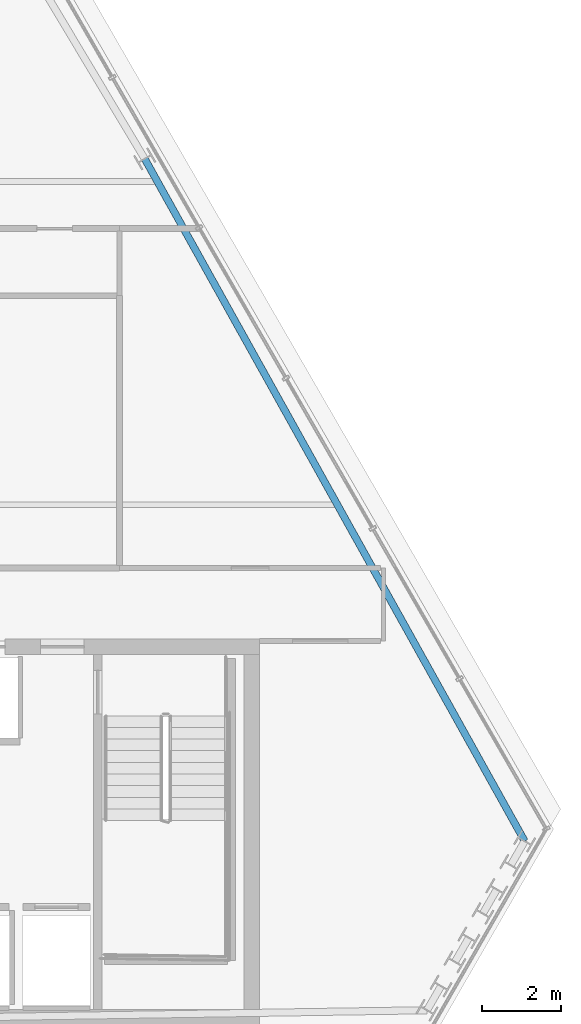
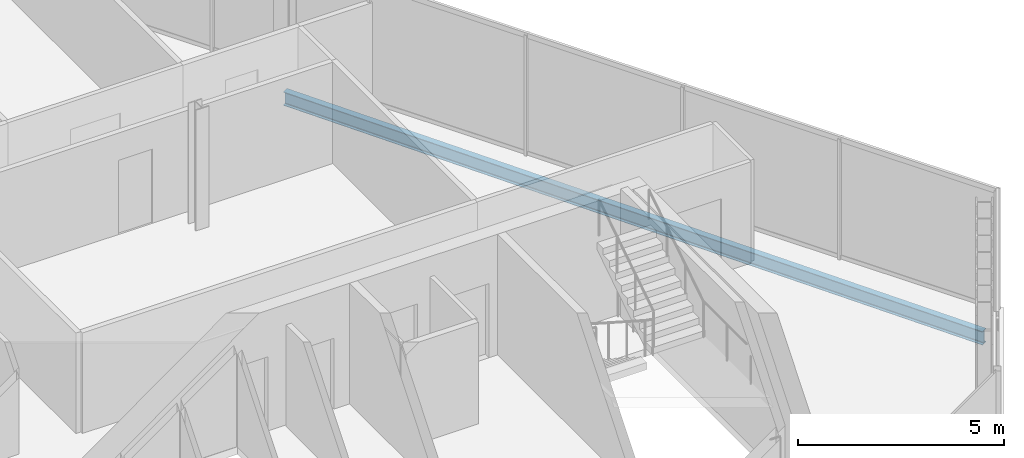
# One storey, part 21 of 32: 1 beam.
"""IFC4 building model written with IfcOpenShell, lengths in metres."""

from ifc_helpers import new_model, si_unit, direction, frame, origin, origin_2d, place, context, subcontext, project, spatial, i_section, extrude, material, material_profile, profile_set, type_object, element, save


model = new_model("IFC4")

# Units and contexts
model_context = context("Model", 3, precision=1e-05, world=origin(), true_north=direction((0.0, 1.0)))
body_context = subcontext(model_context, "Body", "Model", "MODEL_VIEW")
ifc_project = project(units=[si_unit("LENGTHUNIT", "METRE"), si_unit("AREAUNIT", "SQUARE_METRE"), si_unit("VOLUMEUNIT", "CUBIC_METRE"), si_unit("PLANEANGLEUNIT", "RADIAN"), si_unit("MASSUNIT", "GRAM", prefix="KILO")], contexts=[model_context])

# Site, building, storey
site_placement = place(None, origin())
site = spatial("IfcSite", under=ifc_project, at=site_placement, CompositionType="ELEMENT")
building_placement = place(site_placement, origin())
building = spatial("IfcBuilding", under=site, at=building_placement, Name="Ndaravel Arena Tower", CompositionType="ELEMENT")
storey_placement = place(building_placement, frame((0.0, 0.0, 252.199951171875)))
storey = spatial("IfcBuildingStorey", under=building, at=storey_placement, Name="L61", CompositionType="ELEMENT", Elevation=252.199951171875)

# Beam
ifc_material = material(Name="Steel S355", Category="steel")
ifc_material_profile = material_profile(ifc_material, i_section(OverallWidth=0.179931640625, OverallDepth=0.39990234375, WebThickness=0.008544921875, FlangeThickness=0.013427734375, FilletRadius=0.02099609375, at=origin_2d()), Name="IPE 400")
ifc_profile_set = profile_set([ifc_material_profile], Name="Steel S355")
beam_type = type_object("IfcBeamType", Name="BM-SPAN-IPE400", PredefinedType="SPANDREL", material=ifc_profile_set)
beam_placement = place(storey_placement, frame((64.270263671875, 10.073486328125, -0.419921875), z_axis=(-0.486534771205, 0.873661213748, 0.0), x_axis=(-0.873661213748, -0.486534771205, 0.0)))
element("IfcBeam", 1, at=beam_placement, inside=storey, type_object=beam_type, Name="L61 Perimeter Spandrel Beam SP-09", PredefinedType="SPANDREL", context=body_context, shape_type="SweptSolid", body=[
    extrude(i_section(OverallWidth=0.179931640625, OverallDepth=0.39990234375, WebThickness=0.008544921875, FlangeThickness=0.013427734375, FilletRadius=0.02099609375, at=origin_2d()), origin(), (0.0, 0.0, 1.0), 19.79736328125),
])

save(model, "model.ifc")
